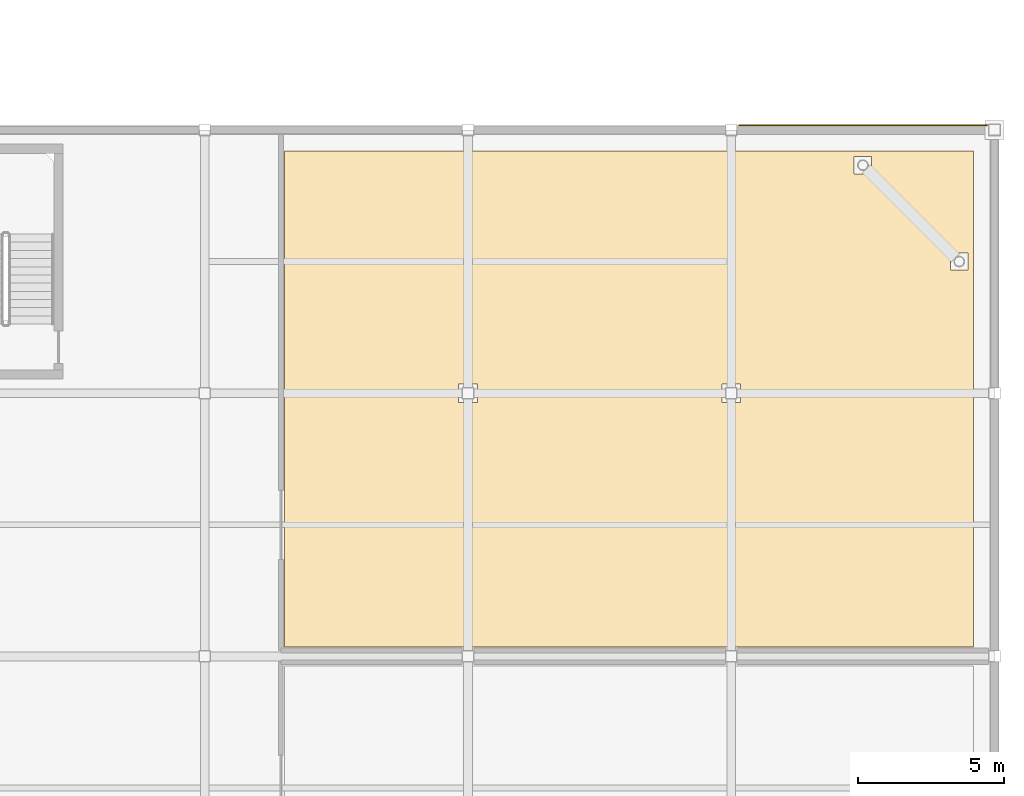
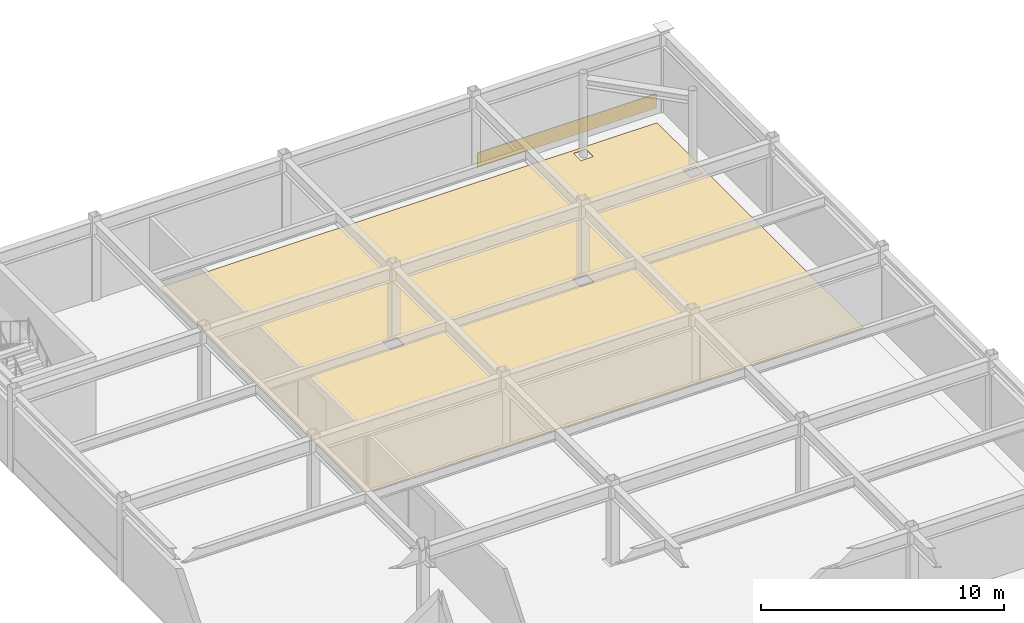
# One storey, part 53 of 53: 2 coverings.
"""IFC4 building model written with IfcOpenShell, lengths in metres."""

from ifc_helpers import new_model, si_unit, direction, frame, origin, origin_2d, place, context, subcontext, project, spatial, polyline, rectangle, outline, extrude, material, layer, layer_set, type_object, element, save


model = new_model("IFC4")

# Units and contexts
model_context = context("Model", 3, precision=1e-05, world=origin(), true_north=direction((0.0, 1.0)))
body_context = subcontext(model_context, "Body", "Model", "MODEL_VIEW")
ifc_project = project(units=[si_unit("LENGTHUNIT", "METRE"), si_unit("AREAUNIT", "SQUARE_METRE"), si_unit("VOLUMEUNIT", "CUBIC_METRE"), si_unit("PLANEANGLEUNIT", "RADIAN"), si_unit("MASSUNIT", "GRAM", prefix="KILO")], contexts=[model_context])

# Site, building, storey
site_placement = place(None, origin())
site = spatial("IfcSite", under=ifc_project, at=site_placement, CompositionType="ELEMENT")
building_placement = place(site_placement, origin())
building = spatial("IfcBuilding", under=site, at=building_placement, Name="Suzunagisa Mobility Hub", CompositionType="ELEMENT")
storey_placement = place(building_placement, frame((0.0, 0.0, 17.699951171875)))
storey = spatial("IfcBuildingStorey", under=building, at=storey_placement, Name="L04", CompositionType="ELEMENT", Elevation=17.699951171875)

# Coverings
ifc_material_1 = material(Name="Polished Aggregate Terrazzo Finish")
ifc_layer_1 = layer(ifc_material_1, 0.02001953125)
ifc_layer_set_1 = layer_set([ifc_layer_1], Name="Polished Aggregate Terrazzo Finish")
covering_type_1 = type_object("IfcCoveringType", Name="Polished Terrazzo Heavy-Traffic Flooring FLR-01", PredefinedType="FLOORING", material=ifc_layer_set_1)
covering_1_placement = place(storey_placement, origin())
element("IfcCovering", 1, at=covering_1_placement, inside=storey, type_object=covering_type_1, Name="L04 Club Locker and Shower Suite L04 Terrazzo Flooring", PredefinedType="FLOORING", context=body_context, shape_type="SweptSolid", body=[
    extrude(outline(polyline([(161.679931640625, 80.320068359375), (155.719970703125, 80.320068359375), (155.719970703125, 97.280029296875), (179.280029296875, 97.280029296875), (179.280029296875, 80.320068359375), (171.320068359375, 80.320068359375), (170.679931640625, 80.320068359375), (162.320068359375, 80.320068359375), (161.679931640625, 80.320068359375)]), holes=[polyline([(162.320068359375, 88.679931640625), (162.320068359375, 89.320068359375), (161.679931640625, 89.320068359375), (161.679931640625, 88.679931640625), (162.320068359375, 88.679931640625)]), polyline([(170.679931640625, 89.320068359375), (170.679931640625, 88.679931640625), (171.320068359375, 88.679931640625), (171.320068359375, 89.320068359375), (170.679931640625, 89.320068359375)]), polyline([(175.7978515625, 97.092041015625), (175.2021484375, 97.092041015625), (175.2021484375, 96.496337890625), (175.7978515625, 96.496337890625), (175.7978515625, 97.092041015625)]), polyline([(179.092041015625, 93.2021484375), (179.092041015625, 93.7978515625), (178.496337890625, 93.7978515625), (178.496337890625, 93.2021484375), (179.092041015625, 93.2021484375)])]), origin(), (0.0, 0.0, 1.0), 0.02001953125),
])
ifc_material_2 = material(Name="Vitreous Porcelain Enamel Aluminum Cladding", Category="aluminium")
ifc_layer_2 = layer(ifc_material_2, 0.034912109375)
ifc_layer_set_2 = layer_set([ifc_layer_2], Name="Vitreous Porcelain Enamel Aluminum Cladding")
covering_type_2 = type_object("IfcCoveringType", Name="Porcelain Enamel Spandrel Cladding Band CLD-01", PredefinedType="CLADDING", material=ifc_layer_set_2)
covering_2_placement = place(storey_placement, frame((175.5, 98.16748046875, 0.06005859375), z_axis=(0.0, 0.0, 1.0), x_axis=(-1.0, 0.0, 0.0)))
element("IfcCovering", 2, at=covering_2_placement, inside=storey, type_object=covering_type_2, Name="L04 Porcelain Spandrel Cladding Band CLD-45", PredefinedType="CLADDING", context=body_context, shape_type="SweptSolid", body=[
    extrude(rectangle(XDim=8.5, YDim=0.034912109375, at=origin_2d()), origin(), (0.0, 0.0, 1.0), 0.719970703125),
])

save(model, "model.ifc")
